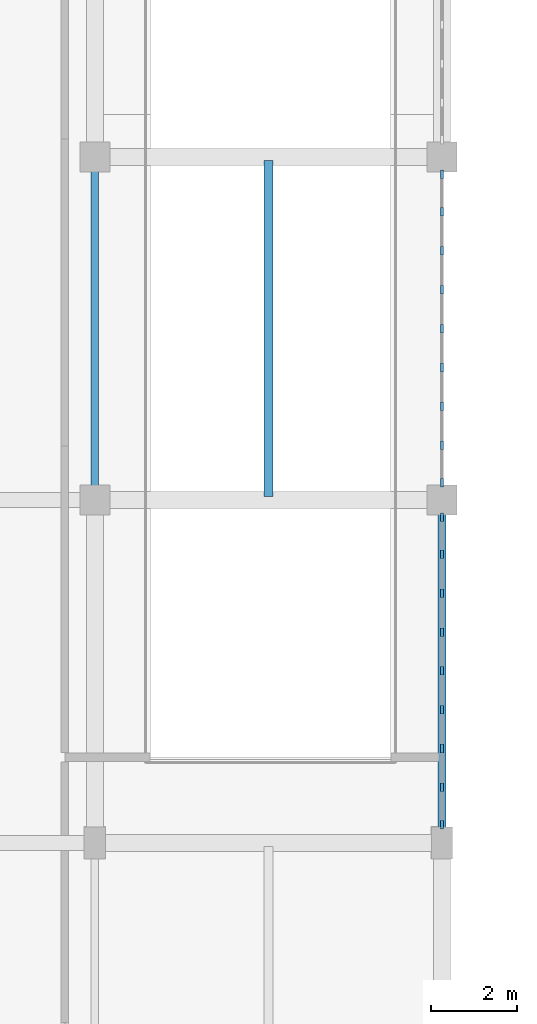
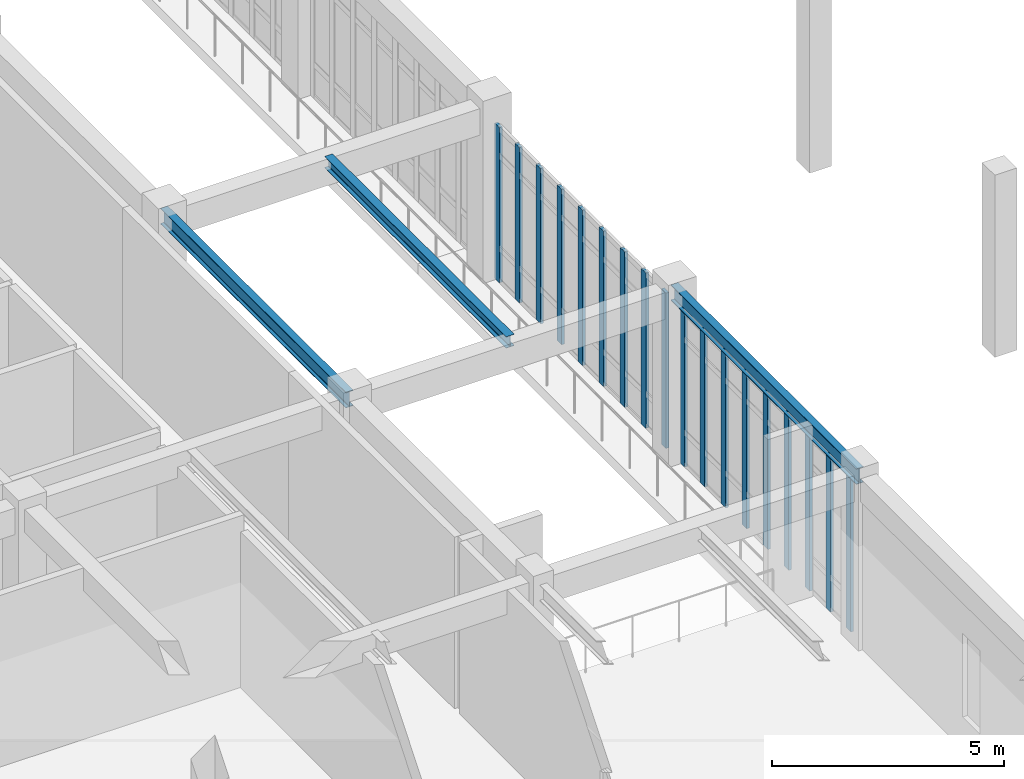
# One storey, part 5 of 61: 18 members, 3 beams, 2 elements without a shape of their own.
"""IFC4 building model written with IfcOpenShell, lengths in metres."""

from ifc_helpers import new_model, si_unit, direction, frame, origin, origin_2d, place, context, subcontext, project, spatial, rectangle, i_section, extrude, material, material_profile, profile_set, type_object, element, aggregate, save


model = new_model("IFC4")

# Units and contexts
model_context = context("Model", 3, precision=1e-05, world=origin(), true_north=direction((0.0, 1.0)))
body_context = subcontext(model_context, "Body", "Model", "MODEL_VIEW")
ifc_project = project(units=[si_unit("LENGTHUNIT", "METRE"), si_unit("AREAUNIT", "SQUARE_METRE"), si_unit("VOLUMEUNIT", "CUBIC_METRE"), si_unit("PLANEANGLEUNIT", "RADIAN"), si_unit("MASSUNIT", "GRAM", prefix="KILO")], contexts=[model_context])

# Site, building, storey
site_placement = place(None, origin())
site = spatial("IfcSite", under=ifc_project, at=site_placement, CompositionType="ELEMENT")
building_placement = place(site_placement, origin())
building = spatial("IfcBuilding", under=site, at=building_placement, Name="Tarnveldt Square Police Headquarters", CompositionType="ELEMENT")
storey_placement = place(building_placement, frame((0.0, 0.0, 5.39990234375)))
storey = spatial("IfcBuildingStorey", under=building, at=storey_placement, Name="L01", CompositionType="ELEMENT", Elevation=5.39990234375)

# Beams
ifc_material_1 = material(Name="Steel 350W", Category="steel")
ifc_material_profile_1 = material_profile(ifc_material_1, i_section(OverallWidth=0.202880859375, OverallDepth=0.302978515625, WebThickness=0.007568359375, FlangeThickness=0.01318359375, FilletRadius=0.014892578125, at=origin_2d()), Name="W310x60")
ifc_profile_set_1 = profile_set([ifc_material_profile_1], Name="Steel 350W")
beam_type_1 = type_object("IfcBeamType", Name="BM-W310x60", PredefinedType="JOIST", material=ifc_profile_set_1)
beam_placement = place(storey_placement, frame((44.550048828125, 56.080078125, 4.36865234375), z_axis=(0.0, 1.0, 0.0), x_axis=(-1.0, 0.0, 0.0)))
element("IfcBeam", 1, at=beam_placement, inside=storey, type_object=beam_type_1, Name="L02 Secondary Floor Joist 0120", PredefinedType="JOIST", context=body_context, shape_type="SweptSolid", body=[
    extrude(i_section(OverallWidth=0.202880859375, OverallDepth=0.302978515625, WebThickness=0.007568359375, FlangeThickness=0.01318359375, FilletRadius=0.014892578125, at=origin_2d()), origin(), (0.0, 0.0, 1.0), 7.83984375),
])
ifc_material_profile_2 = material_profile(ifc_material_1, i_section(OverallWidth=0.180908203125, OverallDepth=0.4169921875, WebThickness=0.010986328125, FlangeThickness=0.018310546875, FilletRadius=0.01611328125, at=origin_2d()), Name="W410x85")
ifc_profile_set_2 = profile_set([ifc_material_profile_2], Name="Steel 350W")
beam_type_2 = type_object("IfcBeamType", Name="BM-W410x85", PredefinedType="BEAM", material=ifc_profile_set_2)
for number, where, z_axis, x_axis, name in (
    (2, (40.5, 56.0, 4.3115234375), (0.0, 1.0, 0.0), (-1.0, 0.0, 0.0), "L02 Grid Girder Y-0610"),
    (3, (48.60009765625, 48.0, 4.3115234375), (0.0, 1.0, 0.0), (-1.0, 0.0, 0.0), "L02 Grid Girder Y-0620"),
):
    element("IfcBeam", number, at=place(storey_placement, frame(where, z_axis=z_axis, x_axis=x_axis)), inside=storey, type_object=beam_type_2, Name=name, PredefinedType="BEAM", context=body_context, shape_type="SweptSolid", body=[
        extrude(i_section(OverallWidth=0.180908203125, OverallDepth=0.4169921875, WebThickness=0.010986328125, FlangeThickness=0.018310546875, FilletRadius=0.01611328125, at=origin_2d()), origin(), (0.0, 0.0, 1.0), 8.0),
    ])

# Curtain wall, members
ifc_material_2 = material(Name="Triple-glazed low-e laminated vision glass", Category="glass")
curtain_wall_type_1 = type_object("IfcCurtainWallType", Name="CW-WG-724x409", PredefinedType="USERDEFINED", material=ifc_material_2)
curtain_wall_1_placement = place(storey_placement, origin())
curtain_wall_1 = element("IfcCurtainWall", 4, at=curtain_wall_1_placement, inside=storey, type_object=curtain_wall_type_1, Name="L01 Curtain Wall CW-L01-067", ObjectType="GLAZED CURTAIN WALL", PredefinedType="USERDEFINED")
ifc_material_3 = material(Name="Thermally broken anodised aluminium 6063-T6", Category="aluminium")
ifc_material_profile_3 = material_profile(ifc_material_3, rectangle(XDim=0.074951171875, YDim=0.199951171875, at=origin_2d()), Name="CW-M75x200")
ifc_profile_set_3 = profile_set([ifc_material_profile_3], Name="Thermally broken anodised aluminium 6063-T6")
member_type = type_object("IfcMemberType", Name="CWM-75x200", PredefinedType="MULLION", material=ifc_profile_set_3)
member_1_placement = place(storey_placement, frame((48.60009765625, 48.427490234375, 0.0), z_axis=(0.0, 0.0, 1.0), x_axis=(-1.0, 0.0, 0.0)))
member_1 = element("IfcMember", 5, at=member_1_placement, type_object=member_type, Name="CW-WG28 mullion 1", PredefinedType="MULLION", context=body_context, shape_type="SweptSolid", body=[
    extrude(rectangle(XDim=0.074951171875, YDim=0.199951171875, at=origin_2d()), origin(), (0.0, 0.0, 1.0), 4.09521484375),
])
member_2_placement = place(storey_placement, frame((48.60009765625, 49.295654296875, 0.0), z_axis=(0.0, 0.0, 1.0), x_axis=(-1.0, 0.0, 0.0)))
member_2 = element("IfcMember", 6, at=member_2_placement, type_object=member_type, Name="CW-WG28 mullion 2", PredefinedType="MULLION", context=body_context, shape_type="SweptSolid", body=[
    extrude(rectangle(XDim=0.074951171875, YDim=0.199951171875, at=origin_2d()), origin(), (0.0, 0.0, 1.0), 4.09521484375),
])
member_3_placement = place(storey_placement, frame((48.60009765625, 50.201171875, 0.0), z_axis=(0.0, 0.0, 1.0), x_axis=(-1.0, 0.0, 0.0)))
member_3 = element("IfcMember", 7, at=member_3_placement, type_object=member_type, Name="CW-WG28 mullion 3", PredefinedType="MULLION", context=body_context, shape_type="SweptSolid", body=[
    extrude(rectangle(XDim=0.074951171875, YDim=0.199951171875, at=origin_2d()), origin(), (0.0, 0.0, 1.0), 4.09521484375),
])
member_4_placement = place(storey_placement, frame((48.60009765625, 51.10693359375, 0.0), z_axis=(0.0, 0.0, 1.0), x_axis=(-1.0, 0.0, 0.0)))
member_4 = element("IfcMember", 8, at=member_4_placement, type_object=member_type, Name="CW-WG28 mullion 4", PredefinedType="MULLION", context=body_context, shape_type="SweptSolid", body=[
    extrude(rectangle(XDim=0.074951171875, YDim=0.199951171875, at=origin_2d()), origin(), (0.0, 0.0, 1.0), 4.09521484375),
])
member_5_placement = place(storey_placement, frame((48.60009765625, 52.012451171875, 0.0), z_axis=(0.0, 0.0, 1.0), x_axis=(-1.0, 0.0, 0.0)))
member_5 = element("IfcMember", 9, at=member_5_placement, type_object=member_type, Name="CW-WG28 mullion 5", PredefinedType="MULLION", context=body_context, shape_type="SweptSolid", body=[
    extrude(rectangle(XDim=0.074951171875, YDim=0.199951171875, at=origin_2d()), origin(), (0.0, 0.0, 1.0), 4.09521484375),
])
member_6_placement = place(storey_placement, frame((48.60009765625, 52.918212890625, 0.0), z_axis=(0.0, 0.0, 1.0), x_axis=(-1.0, 0.0, 0.0)))
member_6 = element("IfcMember", 10, at=member_6_placement, type_object=member_type, Name="CW-WG28 mullion 6", PredefinedType="MULLION", context=body_context, shape_type="SweptSolid", body=[
    extrude(rectangle(XDim=0.074951171875, YDim=0.199951171875, at=origin_2d()), origin(), (0.0, 0.0, 1.0), 4.09521484375),
])
member_7_placement = place(storey_placement, frame((48.60009765625, 53.82373046875, 0.0), z_axis=(0.0, 0.0, 1.0), x_axis=(-1.0, 0.0, 0.0)))
member_7 = element("IfcMember", 11, at=member_7_placement, type_object=member_type, Name="CW-WG28 mullion 7", PredefinedType="MULLION", context=body_context, shape_type="SweptSolid", body=[
    extrude(rectangle(XDim=0.074951171875, YDim=0.199951171875, at=origin_2d()), origin(), (0.0, 0.0, 1.0), 4.09521484375),
])
member_8_placement = place(storey_placement, frame((48.60009765625, 54.7294921875, 0.0), z_axis=(0.0, 0.0, 1.0), x_axis=(-1.0, 0.0, 0.0)))
member_8 = element("IfcMember", 12, at=member_8_placement, type_object=member_type, Name="CW-WG28 mullion 8", PredefinedType="MULLION", context=body_context, shape_type="SweptSolid", body=[
    extrude(rectangle(XDim=0.074951171875, YDim=0.199951171875, at=origin_2d()), origin(), (0.0, 0.0, 1.0), 4.09521484375),
])
member_9_placement = place(storey_placement, frame((48.60009765625, 55.597412109375, 0.0), z_axis=(0.0, 0.0, 1.0), x_axis=(-1.0, 0.0, 0.0)))
member_9 = element("IfcMember", 13, at=member_9_placement, type_object=member_type, Name="CW-WG28 mullion 9", PredefinedType="MULLION", context=body_context, shape_type="SweptSolid", body=[
    extrude(rectangle(XDim=0.074951171875, YDim=0.199951171875, at=origin_2d()), origin(), (0.0, 0.0, 1.0), 4.09521484375),
])
aggregate(curtain_wall_1, [member_1, member_2, member_3, member_4, member_5, member_6, member_7, member_8, member_9])

curtain_wall_type_2 = type_object("IfcCurtainWallType", Name="CW-WG-727x409", PredefinedType="USERDEFINED", material=ifc_material_2)
curtain_wall_2_placement = place(storey_placement, origin())
curtain_wall_2 = element("IfcCurtainWall", 14, at=curtain_wall_2_placement, inside=storey, type_object=curtain_wall_type_2, Name="L01 Curtain Wall CW-L01-068", ObjectType="GLAZED CURTAIN WALL", PredefinedType="USERDEFINED")
member_10_placement = place(storey_placement, frame((48.60009765625, 56.402587890625, 0.0), z_axis=(0.0, 0.0, 1.0), x_axis=(-1.0, 0.0, 0.0)))
member_10 = element("IfcMember", 15, at=member_10_placement, type_object=member_type, Name="CW-WG29 mullion 1", PredefinedType="MULLION", context=body_context, shape_type="SweptSolid", body=[
    extrude(rectangle(XDim=0.074951171875, YDim=0.199951171875, at=origin_2d()), origin(), (0.0, 0.0, 1.0), 4.09521484375),
])
member_11_placement = place(storey_placement, frame((48.60009765625, 57.273681640625, 0.0), z_axis=(0.0, 0.0, 1.0), x_axis=(-1.0, 0.0, 0.0)))
member_11 = element("IfcMember", 16, at=member_11_placement, type_object=member_type, Name="CW-WG29 mullion 2", PredefinedType="MULLION", context=body_context, shape_type="SweptSolid", body=[
    extrude(rectangle(XDim=0.074951171875, YDim=0.199951171875, at=origin_2d()), origin(), (0.0, 0.0, 1.0), 4.09521484375),
])
member_12_placement = place(storey_placement, frame((48.60009765625, 58.1826171875, 0.0), z_axis=(0.0, 0.0, 1.0), x_axis=(-1.0, 0.0, 0.0)))
member_12 = element("IfcMember", 17, at=member_12_placement, type_object=member_type, Name="CW-WG29 mullion 3", PredefinedType="MULLION", context=body_context, shape_type="SweptSolid", body=[
    extrude(rectangle(XDim=0.074951171875, YDim=0.199951171875, at=origin_2d()), origin(), (0.0, 0.0, 1.0), 4.09521484375),
])
member_13_placement = place(storey_placement, frame((48.60009765625, 59.09130859375, 0.0), z_axis=(0.0, 0.0, 1.0), x_axis=(-1.0, 0.0, 0.0)))
member_13 = element("IfcMember", 18, at=member_13_placement, type_object=member_type, Name="CW-WG29 mullion 4", PredefinedType="MULLION", context=body_context, shape_type="SweptSolid", body=[
    extrude(rectangle(XDim=0.074951171875, YDim=0.199951171875, at=origin_2d()), origin(), (0.0, 0.0, 1.0), 4.09521484375),
])
member_14_placement = place(storey_placement, frame((48.60009765625, 60.0, 0.0), z_axis=(0.0, 0.0, 1.0), x_axis=(-1.0, 0.0, 0.0)))
member_14 = element("IfcMember", 19, at=member_14_placement, type_object=member_type, Name="CW-WG29 mullion 5", PredefinedType="MULLION", context=body_context, shape_type="SweptSolid", body=[
    extrude(rectangle(XDim=0.074951171875, YDim=0.199951171875, at=origin_2d()), origin(), (0.0, 0.0, 1.0), 4.09521484375),
])
member_15_placement = place(storey_placement, frame((48.60009765625, 60.90869140625, 0.0), z_axis=(0.0, 0.0, 1.0), x_axis=(-1.0, 0.0, 0.0)))
member_15 = element("IfcMember", 20, at=member_15_placement, type_object=member_type, Name="CW-WG29 mullion 6", PredefinedType="MULLION", context=body_context, shape_type="SweptSolid", body=[
    extrude(rectangle(XDim=0.074951171875, YDim=0.199951171875, at=origin_2d()), origin(), (0.0, 0.0, 1.0), 4.09521484375),
])
member_16_placement = place(storey_placement, frame((48.60009765625, 61.8173828125, 0.0), z_axis=(0.0, 0.0, 1.0), x_axis=(-1.0, 0.0, 0.0)))
member_16 = element("IfcMember", 21, at=member_16_placement, type_object=member_type, Name="CW-WG29 mullion 7", PredefinedType="MULLION", context=body_context, shape_type="SweptSolid", body=[
    extrude(rectangle(XDim=0.074951171875, YDim=0.199951171875, at=origin_2d()), origin(), (0.0, 0.0, 1.0), 4.09521484375),
])
member_17_placement = place(storey_placement, frame((48.60009765625, 62.726318359375, 0.0), z_axis=(0.0, 0.0, 1.0), x_axis=(-1.0, 0.0, 0.0)))
member_17 = element("IfcMember", 22, at=member_17_placement, type_object=member_type, Name="CW-WG29 mullion 8", PredefinedType="MULLION", context=body_context, shape_type="SweptSolid", body=[
    extrude(rectangle(XDim=0.074951171875, YDim=0.199951171875, at=origin_2d()), origin(), (0.0, 0.0, 1.0), 4.09521484375),
])
member_18_placement = place(storey_placement, frame((48.60009765625, 63.597412109375, 0.0), z_axis=(0.0, 0.0, 1.0), x_axis=(-1.0, 0.0, 0.0)))
member_18 = element("IfcMember", 23, at=member_18_placement, type_object=member_type, Name="CW-WG29 mullion 9", PredefinedType="MULLION", context=body_context, shape_type="SweptSolid", body=[
    extrude(rectangle(XDim=0.074951171875, YDim=0.199951171875, at=origin_2d()), origin(), (0.0, 0.0, 1.0), 4.09521484375),
])
aggregate(curtain_wall_2, [member_10, member_11, member_12, member_13, member_14, member_15, member_16, member_17, member_18])

save(model, "model.ifc")
